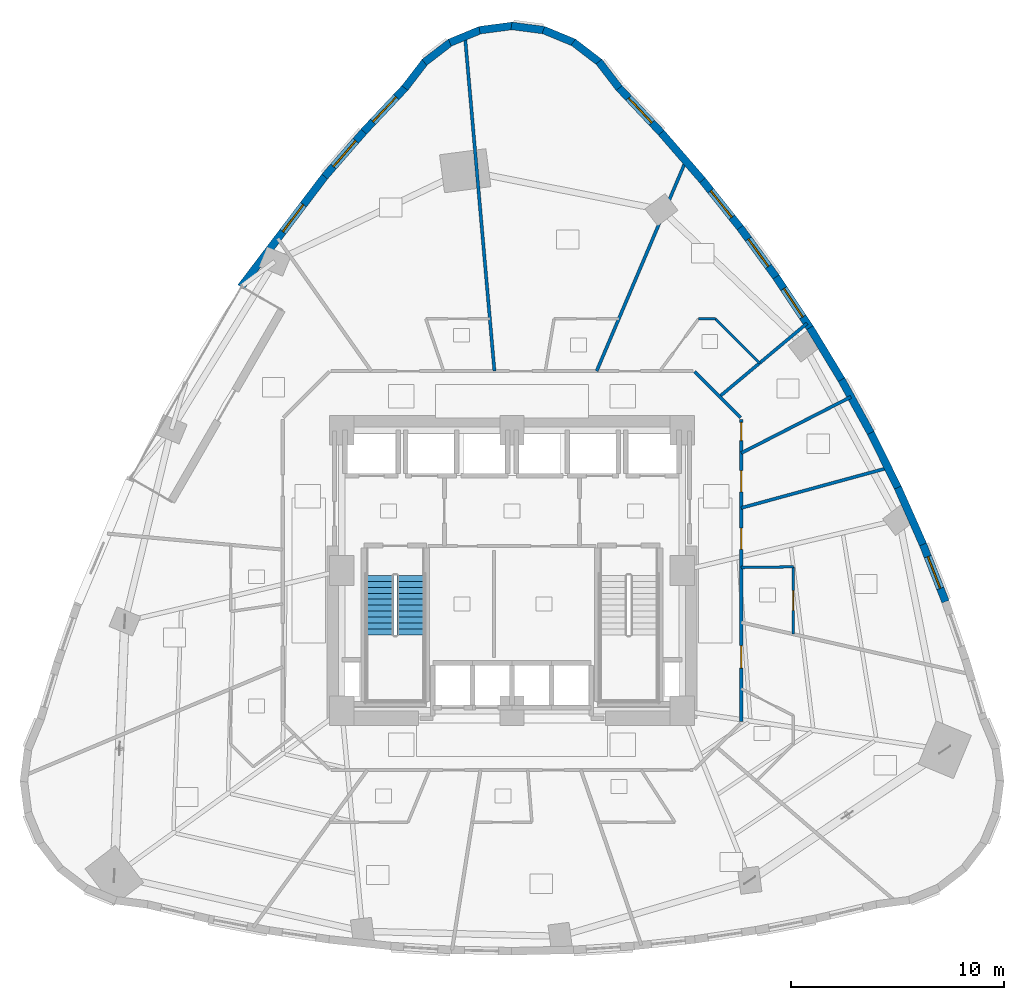
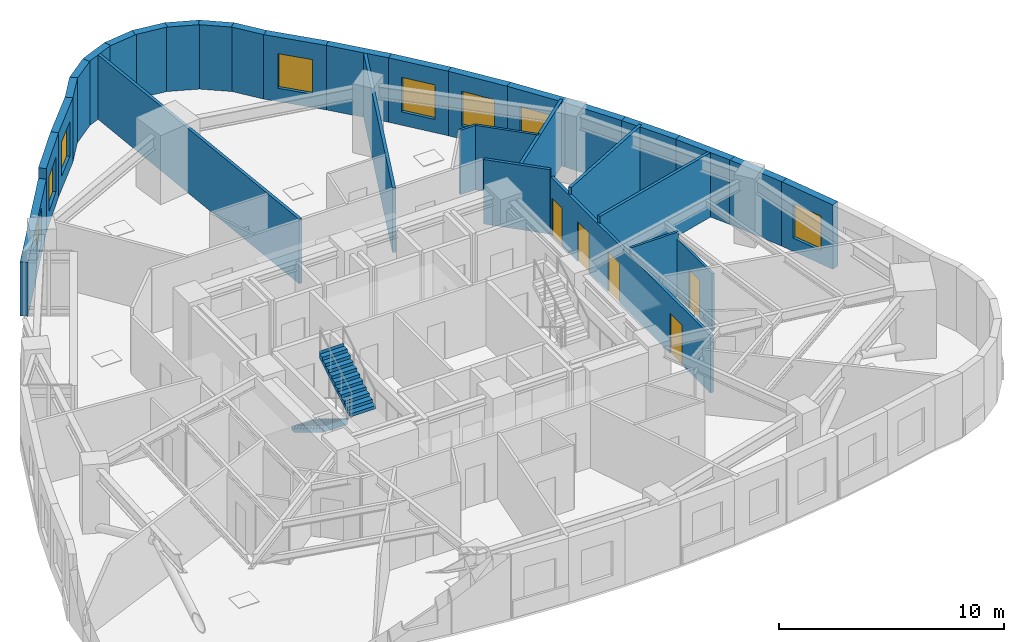
# One storey, part 9 of 13: 32 walls, 8 windows, 5 doors, 2 stair flights, 13 openings, 1 element without a shape of its own.
"""IFC4 building model written with IfcOpenShell, lengths in metres."""

from ifc_helpers import new_model, si_unit, direction, frame, frame_2d, origin, place, context, subcontext, project, spatial, polyline, rectangle, outline, extrude, material, layer, layer_set, type_object, element, fill, aggregate, save


model = new_model("IFC4")

# Units and contexts
model_context = context("Model", 3, precision=1e-05, world=origin(), true_north=direction((0.0, 1.0)))
body_context = subcontext(model_context, "Body", "Model", "MODEL_VIEW")
ifc_project = project(units=[si_unit("LENGTHUNIT", "METRE"), si_unit("AREAUNIT", "SQUARE_METRE"), si_unit("VOLUMEUNIT", "CUBIC_METRE"), si_unit("PLANEANGLEUNIT", "RADIAN"), si_unit("MASSUNIT", "GRAM", prefix="KILO")], contexts=[model_context])

# Site, building, storey
site_placement = place(None, origin())
site = spatial("IfcSite", under=ifc_project, at=site_placement, CompositionType="ELEMENT")
building_placement = place(site_placement, origin())
building = spatial("IfcBuilding", under=site, at=building_placement, Name="Ndelora Gate Hotel", CompositionType="ELEMENT")
storey_placement = place(building_placement, frame((0.0, 0.0, 34.25)))
storey = spatial("IfcBuildingStorey", under=building, at=storey_placement, Name="L07", CompositionType="ELEMENT", Elevation=34.25)

# Walls
ifc_material_1 = material(Name="Clay Brick Masonry", Category="masonry")
ifc_layer_1 = layer(ifc_material_1, 0.360107421875)
ifc_layer_set_1 = layer_set([ifc_layer_1], Name="Clay Brick Masonry")
wall_type_1 = type_object("IfcWallType", Name="WL-BRICK-360", PredefinedType="SOLIDWALL", material=ifc_layer_set_1)
for number, where, z_axis, x_axis, name in (
    (1, (4.0859375, 23.928955078125, 0.0), (0.0, 0.0, 1.0), (0.608729688799, -0.793377694402, 0.0), "L07 Tower Brick Pier-and-Spandrel Wall TWR-1"),
    (2, (2.880126953125, 24.845947265625, 0.0), (0.0, 0.0, 1.0), (0.793377694402, -0.608729688799, 0.0), "L07 Tower Brick Pier-and-Spandrel Wall TWR-2"),
    (3, (1.47802734375, 25.419921875, 0.0), (0.0, 0.0, 1.0), (0.923864636245, -0.382719393153, 0.0), "L07 Tower Brick Pier-and-Spandrel Wall TWR-3"),
    (4, (-0.02490234375, 25.611083984375, 0.0), (0.0, 0.0, 1.0), (0.991450044922, -0.130486813217, 0.0), "L07 Tower Brick Pier-and-Spandrel Wall TWR-4"),
    (5, (-1.52587890625, 25.406982421875, 0.0), (0.0, 0.0, 1.0), (0.991450044922, 0.130486813217, 0.0), "L07 Tower Brick Pier-and-Spandrel Wall TWR-5"),
    (6, (-2.923095703125, 24.8212890625, 0.0), (0.0, 0.0, 1.0), (0.923864636245, 0.382719393153, 0.0), "L07 Tower Brick Pier-and-Spandrel Wall TWR-6"),
    (7, (-4.12109375, 23.893798828125, 0.0), (0.0, 0.0, 1.0), (0.793377694402, 0.608729688799, 0.0), "L07 Tower Brick Pier-and-Spandrel Wall TWR-7"),
    (8, (-5.0380859375, 22.68798828125, 0.0), (0.0, 0.0, 1.0), (0.608729688799, 0.793377694402, 0.0), "L07 Tower Brick Pier-and-Spandrel Wall TWR-8"),
):
    element("IfcWall", number, at=place(storey_placement, frame(where, z_axis=z_axis, x_axis=x_axis)), inside=storey, type_object=wall_type_1, Name=name, PredefinedType="SOLIDWALL", context=body_context, shape_type="SweptSolid", body=[
        extrude(rectangle(XDim=1.564208984375, YDim=0.360107421875, at=frame_2d((0.7822265625, 0.0))), origin(), (0.0, 0.0, 1.0), 3.5),
    ])

# Wall, opening, window
wall_1_placement = place(storey_placement, frame((-6.973388671875, 20.63671875, 0.0), z_axis=(0.0, 0.0, 1.0), x_axis=(0.685563685899, 0.728012659626, 0.0)))
wall_1 = element("IfcWall", 9, at=wall_1_placement, inside=storey, type_object=wall_type_1, Name="L07 Tower Brick Pier-and-Spandrel Wall TWR-9", PredefinedType="SOLIDWALL", context=body_context, shape_type="SweptSolid", body=[
    extrude(rectangle(XDim=2.869873046875, YDim=0.360107421875, at=frame_2d((1.43505859375, 0.0))), origin(), (0.0, 0.0, 1.0), 3.5),
])
opening_1_placement = place(wall_1_placement, frame((0.635009765625, 0.0, 0.719970703125)))
opening_1 = element("IfcOpeningElement", 10, at=opening_1_placement, cuts=wall_1, Name="Opening W03", PredefinedType="OPENING", context=body_context, shape_type="SweptSolid", body=[
    extrude(rectangle(XDim=1.60009765625, YDim=1.8798828125, at=frame_2d((0.800048828125, 0.93994140625))), frame((0.0, 0.18994140625, 0.0), z_axis=(0.0, -1.0, 0.0), x_axis=(1.0, 0.0, 0.0)), (0.0, 0.0, 1.0), 0.380126953125),
])
ifc_material_2 = material(Name="Insulated Low-E Double Glazing in Bronze Aluminium Frame", Category="aluminium")
window_type_1 = type_object("IfcWindowType", Name="WN-CORN-2100", PartitioningType="SINGLE_PANEL", PredefinedType="WINDOW", material=ifc_material_2)
window_1_placement = place(opening_1_placement, origin())
window_1 = element("IfcWindow", 11, at=window_1_placement, inside=storey, type_object=window_type_1, Name="L07 Deep-Set Brick-Pier Window W03", OverallHeight=1.8798828125, OverallWidth=1.60009765625, PartitioningType="SINGLE_PANEL", PredefinedType="WINDOW", context=body_context, shape_type="SweptSolid", body=[
    extrude(rectangle(XDim=1.60009765625, YDim=1.8798828125, at=frame_2d((0.800048828125, 0.93994140625))), frame((0.0, 0.030029296875, 0.0), z_axis=(0.0, -1.0, 0.0), x_axis=(1.0, 0.0, 0.0)), (0.0, 0.0, 1.0), 0.06005859375),
])
fill(opening_1, window_1)

wall_2_placement = place(storey_placement, frame((-8.808349609375, 18.5263671875, 0.0), z_axis=(0.0, 0.0, 1.0), x_axis=(0.656480194697, 0.754343260042, 0.0)))
wall_2 = element("IfcWall", 12, at=wall_2_placement, inside=storey, type_object=wall_type_1, Name="L07 Tower Brick Pier-and-Spandrel Wall TWR-10", PredefinedType="SOLIDWALL", context=body_context, shape_type="SweptSolid", body=[
    extrude(rectangle(XDim=2.846435546875, YDim=0.360107421875, at=frame_2d((1.42333984375, 0.0))), origin(), (0.0, 0.0, 1.0), 3.5),
])
opening_2_placement = place(wall_2_placement, frame((0.623291015625, 0.0, 0.719970703125)))
opening_2 = element("IfcOpeningElement", 13, at=opening_2_placement, cuts=wall_2, Name="Opening W01", PredefinedType="OPENING", context=body_context, shape_type="SweptSolid", body=[
    extrude(rectangle(XDim=1.60009765625, YDim=1.8798828125, at=frame_2d((0.800048828125, 0.93994140625))), frame((0.0, 0.18994140625, 0.0), z_axis=(0.0, -1.0, 0.0), x_axis=(1.0, 0.0, 0.0)), (0.0, 0.0, 1.0), 0.380126953125),
])
window_type_2 = type_object("IfcWindowType", Name="WN-DEEP-1600", PartitioningType="SINGLE_PANEL", PredefinedType="WINDOW", material=ifc_material_2)
window_2_placement = place(opening_2_placement, origin())
window_2 = element("IfcWindow", 14, at=window_2_placement, inside=storey, type_object=window_type_2, Name="L07 Deep-Set Brick-Pier Window W01", OverallHeight=1.8798828125, OverallWidth=1.60009765625, PartitioningType="SINGLE_PANEL", PredefinedType="WINDOW", context=body_context, shape_type="SweptSolid", body=[
    extrude(rectangle(XDim=1.60009765625, YDim=1.8798828125, at=frame_2d((0.800048828125, 0.93994140625))), frame((0.0, 0.030029296875, 0.0), z_axis=(0.0, -1.0, 0.0), x_axis=(1.0, 0.0, 0.0)), (0.0, 0.0, 1.0), 0.06005859375),
])
fill(opening_2, window_2)

wall_3_placement = place(storey_placement, frame((-12.745361328125, 13.334228515625, 0.0), z_axis=(0.0, 0.0, 1.0), x_axis=(0.604405198851, 0.796677071091, 0.0)))
wall_3 = element("IfcWall", 15, at=wall_3_placement, inside=storey, type_object=wall_type_1, Name="L07 Tower Brick Pier-and-Spandrel Wall TWR-11", PredefinedType="SOLIDWALL", context=body_context, shape_type="SweptSolid", body=[
    extrude(rectangle(XDim=6.56591796875, YDim=0.360107421875, at=frame_2d((3.282958984375, 0.0))), origin(), (0.0, 0.0, 1.0), 2.929931640625),
])
opening_3_placement = place(wall_3_placement, frame((3.260009765625, 0.0, 0.719970703125)))
opening_3 = element("IfcOpeningElement", 16, at=opening_3_placement, cuts=wall_3, Name="Opening W01", PredefinedType="OPENING", context=body_context, shape_type="SweptSolid", body=[
    extrude(rectangle(XDim=1.60009765625, YDim=1.8798828125, at=frame_2d((0.800048828125, 0.93994140625))), frame((0.0, 0.18994140625, 0.0), z_axis=(0.0, -1.0, 0.0), x_axis=(1.0, 0.0, 0.0)), (0.0, 0.0, 1.0), 0.380126953125),
])
window_3_placement = place(opening_3_placement, origin())
window_3 = element("IfcWindow", 17, at=window_3_placement, inside=storey, type_object=window_type_2, Name="L07 Deep-Set Brick-Pier Window W01", OverallHeight=1.8798828125, OverallWidth=1.60009765625, PartitioningType="SINGLE_PANEL", PredefinedType="WINDOW", context=body_context, shape_type="SweptSolid", body=[
    extrude(rectangle(XDim=1.60009765625, YDim=1.8798828125, at=frame_2d((0.800048828125, 0.93994140625))), frame((0.0, 0.030029296875, 0.0), z_axis=(0.0, -1.0, 0.0), x_axis=(1.0, 0.0, 0.0)), (0.0, 0.0, 1.0), 0.06005859375),
])
fill(opening_3, window_3)

wall_4_placement = place(storey_placement, frame((19.308349609375, 1.272216796875, 0.0), z_axis=(0.0, 0.0, 1.0), x_axis=(0.366361181184, -0.930472721213, 0.0)))
wall_4 = element("IfcWall", 18, at=wall_4_placement, inside=storey, type_object=wall_type_1, Name="L07 Tower Brick Pier-and-Spandrel Wall TWR-49", PredefinedType="SOLIDWALL", context=body_context, shape_type="SweptSolid", body=[
    extrude(rectangle(XDim=2.940673828125, YDim=0.360107421875, at=frame_2d((1.47021484375, 0.0))), origin(), (0.0, 0.0, 1.0), 3.5),
])
opening_4_placement = place(wall_4_placement, frame((0.67041015625, 0.0, 0.719970703125)))
opening_4 = element("IfcOpeningElement", 19, at=opening_4_placement, cuts=wall_4, Name="Opening W03", PredefinedType="OPENING", context=body_context, shape_type="SweptSolid", body=[
    extrude(rectangle(XDim=1.60009765625, YDim=1.8798828125, at=frame_2d((0.800048828125, 0.93994140625))), frame((0.0, 0.18994140625, 0.0), z_axis=(0.0, -1.0, 0.0), x_axis=(1.0, 0.0, 0.0)), (0.0, 0.0, 1.0), 0.380126953125),
])
window_4_placement = place(opening_4_placement, origin())
window_4 = element("IfcWindow", 20, at=window_4_placement, inside=storey, type_object=window_type_1, Name="L07 Deep-Set Brick-Pier Window W03", OverallHeight=1.8798828125, OverallWidth=1.60009765625, PartitioningType="SINGLE_PANEL", PredefinedType="WINDOW", context=body_context, shape_type="SweptSolid", body=[
    extrude(rectangle(XDim=1.60009765625, YDim=1.8798828125, at=frame_2d((0.800048828125, 0.93994140625))), frame((0.0, 0.030029296875, 0.0), z_axis=(0.0, -1.0, 0.0), x_axis=(1.0, 0.0, 0.0)), (0.0, 0.0, 1.0), 0.06005859375),
])
fill(opening_4, window_4)

# Walls
wall_5_placement = place(storey_placement, frame((18.142578125, 3.900634765625, 0.0), z_axis=(0.0, 0.0, 1.0), x_axis=(0.405100583427, -0.914272124319, 0.0)))
element("IfcWall", 21, at=wall_5_placement, inside=storey, type_object=wall_type_1, Name="L07 Tower Brick Pier-and-Spandrel Wall TWR-50", PredefinedType="SOLIDWALL", context=body_context, shape_type="SweptSolid", body=[
    extrude(rectangle(XDim=2.92529296875, YDim=0.360107421875, at=frame_2d((1.462646484375, 0.0))), origin(), (0.0, 0.0, 1.0), 3.5),
])
wall_6_placement = place(storey_placement, frame((16.87060546875, 6.4677734375, 0.0), z_axis=(0.0, 0.0, 1.0), x_axis=(0.44365878996, -0.896195781117, 0.0)))
element("IfcWall", 22, at=wall_6_placement, inside=storey, type_object=wall_type_1, Name="L07 Tower Brick Pier-and-Spandrel Wall TWR-51", PredefinedType="SOLIDWALL", context=body_context, shape_type="SweptSolid", body=[
    extrude(rectangle(XDim=2.914794921875, YDim=0.360107421875, at=frame_2d((1.45751953125, 0.0))), origin(), (0.0, 0.0, 1.0), 3.5),
])
wall_7_placement = place(storey_placement, frame((15.493408203125, 8.973876953125, 0.0), z_axis=(0.0, 0.0, 1.0), x_axis=(0.481319495438, -0.876545231754, 0.0)))
element("IfcWall", 23, at=wall_7_placement, inside=storey, type_object=wall_type_1, Name="L07 Tower Brick Pier-and-Spandrel Wall TWR-52", PredefinedType="SOLIDWALL", context=body_context, shape_type="SweptSolid", body=[
    extrude(rectangle(XDim=2.909423828125, YDim=0.360107421875, at=frame_2d((1.45458984375, 0.0))), origin(), (0.0, 0.0, 1.0), 3.5),
])
wall_8_placement = place(storey_placement, frame((14.009765625, 11.418701171875, 0.0), z_axis=(0.0, 0.0, 1.0), x_axis=(0.518463491903, -0.855099764685, 0.0)))
element("IfcWall", 24, at=wall_8_placement, inside=storey, type_object=wall_type_1, Name="L07 Tower Brick Pier-and-Spandrel Wall TWR-53", PredefinedType="SOLIDWALL", context=body_context, shape_type="SweptSolid", body=[
    extrude(rectangle(XDim=2.90966796875, YDim=0.360107421875, at=frame_2d((1.454833984375, 0.0))), origin(), (0.0, 0.0, 1.0), 3.5),
])

# Wall, opening, window
wall_9_placement = place(storey_placement, frame((12.420654296875, 13.802490234375, 0.0), z_axis=(0.0, 0.0, 1.0), x_axis=(0.554410222631, -0.832243537099, 0.0)))
wall_9 = element("IfcWall", 25, at=wall_9_placement, inside=storey, type_object=wall_type_1, Name="L07 Tower Brick Pier-and-Spandrel Wall TWR-54", PredefinedType="SOLIDWALL", context=body_context, shape_type="SweptSolid", body=[
    extrude(rectangle(XDim=2.914794921875, YDim=0.360107421875, at=frame_2d((1.45751953125, 0.0))), origin(), (0.0, 0.0, 1.0), 3.5),
])
opening_5_placement = place(wall_9_placement, frame((0.657470703125, 0.0, 0.719970703125)))
opening_5 = element("IfcOpeningElement", 26, at=opening_5_placement, cuts=wall_9, Name="Opening W01", PredefinedType="OPENING", context=body_context, shape_type="SweptSolid", body=[
    extrude(rectangle(XDim=1.60009765625, YDim=1.8798828125, at=frame_2d((0.800048828125, 0.93994140625))), frame((0.0, 0.18994140625, 0.0), z_axis=(0.0, -1.0, 0.0), x_axis=(1.0, 0.0, 0.0)), (0.0, 0.0, 1.0), 0.380126953125),
])
window_5_placement = place(opening_5_placement, origin())
window_5 = element("IfcWindow", 27, at=window_5_placement, inside=storey, type_object=window_type_2, Name="L07 Deep-Set Brick-Pier Window W01", OverallHeight=1.8798828125, OverallWidth=1.60009765625, PartitioningType="SINGLE_PANEL", PredefinedType="WINDOW", context=body_context, shape_type="SweptSolid", body=[
    extrude(rectangle(XDim=1.60009765625, YDim=1.8798828125, at=frame_2d((0.800048828125, 0.93994140625))), frame((0.0, 0.030029296875, 0.0), z_axis=(0.0, -1.0, 0.0), x_axis=(1.0, 0.0, 0.0)), (0.0, 0.0, 1.0), 0.06005859375),
])
fill(opening_5, window_5)

wall_10_placement = place(storey_placement, frame((10.7255859375, 16.125, 0.0), z_axis=(0.0, 0.0, 1.0), x_axis=(0.589223239374, -0.807970280507, 0.0)))
wall_10 = element("IfcWall", 28, at=wall_10_placement, inside=storey, type_object=wall_type_1, Name="L07 Tower Brick Pier-and-Spandrel Wall TWR-55", PredefinedType="SOLIDWALL", context=body_context, shape_type="SweptSolid", body=[
    extrude(rectangle(XDim=2.92529296875, YDim=0.360107421875, at=frame_2d((1.462646484375, 0.0))), origin(), (0.0, 0.0, 1.0), 3.5),
])
opening_6_placement = place(wall_10_placement, frame((0.66259765625, 0.0, 0.719970703125)))
opening_6 = element("IfcOpeningElement", 29, at=opening_6_placement, cuts=wall_10, Name="Opening W01", PredefinedType="OPENING", context=body_context, shape_type="SweptSolid", body=[
    extrude(rectangle(XDim=1.60009765625, YDim=1.8798828125, at=frame_2d((0.800048828125, 0.93994140625))), frame((0.0, 0.18994140625, 0.0), z_axis=(0.0, -1.0, 0.0), x_axis=(1.0, 0.0, 0.0)), (0.0, 0.0, 1.0), 0.380126953125),
])
window_6_placement = place(opening_6_placement, origin())
window_6 = element("IfcWindow", 30, at=window_6_placement, inside=storey, type_object=window_type_2, Name="L07 Deep-Set Brick-Pier Window W01", OverallHeight=1.8798828125, OverallWidth=1.60009765625, PartitioningType="SINGLE_PANEL", PredefinedType="WINDOW", context=body_context, shape_type="SweptSolid", body=[
    extrude(rectangle(XDim=1.60009765625, YDim=1.8798828125, at=frame_2d((0.800048828125, 0.93994140625))), frame((0.0, 0.030029296875, 0.0), z_axis=(0.0, -1.0, 0.0), x_axis=(1.0, 0.0, 0.0)), (0.0, 0.0, 1.0), 0.06005859375),
])
fill(opening_6, window_6)

wall_11_placement = place(storey_placement, frame((8.9248046875, 18.38671875, 0.0), z_axis=(0.0, 0.0, 1.0), x_axis=(0.622637946995, -0.782510055502, 0.0)))
wall_11 = element("IfcWall", 31, at=wall_11_placement, inside=storey, type_object=wall_type_1, Name="L07 Tower Brick Pier-and-Spandrel Wall TWR-56", PredefinedType="SOLIDWALL", context=body_context, shape_type="SweptSolid", body=[
    extrude(rectangle(XDim=2.941162109375, YDim=0.360107421875, at=frame_2d((1.470703125, 0.0))), origin(), (0.0, 0.0, 1.0), 3.5),
])
opening_7_placement = place(wall_11_placement, frame((0.67041015625, 0.0, 0.719970703125)))
opening_7 = element("IfcOpeningElement", 32, at=opening_7_placement, cuts=wall_11, Name="Opening W01", PredefinedType="OPENING", context=body_context, shape_type="SweptSolid", body=[
    extrude(rectangle(XDim=1.60009765625, YDim=1.8798828125, at=frame_2d((0.800048828125, 0.93994140625))), frame((0.0, 0.18994140625, 0.0), z_axis=(0.0, -1.0, 0.0), x_axis=(1.0, 0.0, 0.0)), (0.0, 0.0, 1.0), 0.380126953125),
])
window_7_placement = place(opening_7_placement, origin())
window_7 = element("IfcWindow", 33, at=window_7_placement, inside=storey, type_object=window_type_2, Name="L07 Deep-Set Brick-Pier Window W01", OverallHeight=1.8798828125, OverallWidth=1.60009765625, PartitioningType="SINGLE_PANEL", PredefinedType="WINDOW", context=body_context, shape_type="SweptSolid", body=[
    extrude(rectangle(XDim=1.60009765625, YDim=1.8798828125, at=frame_2d((0.800048828125, 0.93994140625))), frame((0.0, 0.030029296875, 0.0), z_axis=(0.0, -1.0, 0.0), x_axis=(1.0, 0.0, 0.0)), (0.0, 0.0, 1.0), 0.06005859375),
])
fill(opening_7, window_7)

# Wall
wall_12_placement = place(storey_placement, frame((7.018310546875, 20.5869140625, 0.0), z_axis=(0.0, 0.0, 1.0), x_axis=(0.654585220283, -0.755988220402, 0.0)))
element("IfcWall", 34, at=wall_12_placement, inside=storey, type_object=wall_type_1, Name="L07 Tower Brick Pier-and-Spandrel Wall TWR-57", PredefinedType="SOLIDWALL", context=body_context, shape_type="SweptSolid", body=[
    extrude(rectangle(XDim=2.96142578125, YDim=0.360107421875, at=frame_2d((1.480712890625, 0.0))), origin(), (0.0, 0.0, 1.0), 3.5),
])

# Wall, opening, window
wall_13_placement = place(storey_placement, frame((5.005859375, 22.72607421875, 0.0), z_axis=(0.0, 0.0, 1.0), x_axis=(0.684946458387, -0.728593404542, 0.0)))
wall_13 = element("IfcWall", 35, at=wall_13_placement, inside=storey, type_object=wall_type_1, Name="L07 Tower Brick Pier-and-Spandrel Wall TWR-58", PredefinedType="SOLIDWALL", context=body_context, shape_type="SweptSolid", body=[
    extrude(rectangle(XDim=2.987060546875, YDim=0.360107421875, at=frame_2d((1.49365234375, 0.0))), origin(), (0.0, 0.0, 1.0), 3.5),
])
opening_8_placement = place(wall_13_placement, frame((0.693603515625, 0.0, 0.719970703125)))
opening_8 = element("IfcOpeningElement", 36, at=opening_8_placement, cuts=wall_13, Name="Opening W01", PredefinedType="OPENING", context=body_context, shape_type="SweptSolid", body=[
    extrude(rectangle(XDim=1.60009765625, YDim=1.8798828125, at=frame_2d((0.800048828125, 0.93994140625))), frame((0.0, 0.18994140625, 0.0), z_axis=(0.0, -1.0, 0.0), x_axis=(1.0, 0.0, 0.0)), (0.0, 0.0, 1.0), 0.380126953125),
])
window_8_placement = place(opening_8_placement, origin())
window_8 = element("IfcWindow", 37, at=window_8_placement, inside=storey, type_object=window_type_2, Name="L07 Deep-Set Brick-Pier Window W01", OverallHeight=1.8798828125, OverallWidth=1.60009765625, PartitioningType="SINGLE_PANEL", PredefinedType="WINDOW", context=body_context, shape_type="SweptSolid", body=[
    extrude(rectangle(XDim=1.60009765625, YDim=1.8798828125, at=frame_2d((0.800048828125, 0.93994140625))), frame((0.0, 0.030029296875, 0.0), z_axis=(0.0, -1.0, 0.0), x_axis=(1.0, 0.0, 0.0)), (0.0, 0.0, 1.0), 0.06005859375),
])
fill(opening_8, window_8)

# Wall, openings, doors
ifc_material_3 = material(Name="Fire-Rated Gypsum Stud Partition", Category="gypsum")
ifc_layer_2 = layer(ifc_material_3, 0.14990234375)
ifc_layer_set_2 = layer_set([ifc_layer_2], Name="Fire-Rated Gypsum Stud Partition")
wall_type_2 = type_object("IfcWallType", Name="WL-PART-150", PredefinedType="PARTITIONING", material=ifc_layer_set_2)
wall_14_placement = place(storey_placement, frame((10.780029296875, 7.110107421875, 0.0), z_axis=(0.0, 0.0, 1.0), x_axis=(0.0, -1.0, 0.0)))
wall_14 = element("IfcWall", 38, at=wall_14_placement, inside=storey, type_object=wall_type_2, Name="L07 Interior Wall IW-5", PredefinedType="PARTITIONING", context=body_context, shape_type="SweptSolid", body=[
    extrude(rectangle(XDim=14.22021484375, YDim=0.14990234375, at=frame_2d((7.110107421875, 0.0))), origin(), (0.0, 0.0, 1.0), 3.1201171875),
])
opening_9_placement = place(wall_14_placement, frame((0.139892578125, 0.0, 0.0)))
opening_9 = element("IfcOpeningElement", 39, at=opening_9_placement, cuts=wall_14, Name="Opening D09", PredefinedType="OPENING", context=body_context, shape_type="SweptSolid", body=[
    extrude(rectangle(XDim=0.860107421875, YDim=2.050048828125, at=frame_2d((0.43017578125, 1.02490234375))), frame((0.0, 0.0849609375, 0.0), z_axis=(0.0, -1.0, 0.0), x_axis=(1.0, 0.0, 0.0)), (0.0, 0.0, 1.0), 0.169921875),
])
opening_10_placement = place(wall_14_placement, frame((2.417236328125, 0.0, 0.0)))
opening_10 = element("IfcOpeningElement", 40, at=opening_10_placement, cuts=wall_14, Name="Opening D01", PredefinedType="OPENING", context=body_context, shape_type="SweptSolid", body=[
    extrude(rectangle(XDim=1.0, YDim=2.14990234375, at=frame_2d((0.5, 1.074951171875))), frame((0.0, 0.0849609375, 0.0), z_axis=(0.0, -1.0, 0.0), x_axis=(1.0, 0.0, 0.0)), (0.0, 0.0, 1.0), 0.169921875),
])
opening_11_placement = place(wall_14_placement, frame((5.114990234375, 0.0, 0.0)))
opening_11 = element("IfcOpeningElement", 41, at=opening_11_placement, cuts=wall_14, Name="Opening D01", PredefinedType="OPENING", context=body_context, shape_type="SweptSolid", body=[
    extrude(rectangle(XDim=1.0, YDim=2.14990234375, at=frame_2d((0.5, 1.074951171875))), frame((0.0, 0.0849609375, 0.0), z_axis=(0.0, -1.0, 0.0), x_axis=(1.0, 0.0, 0.0)), (0.0, 0.0, 1.0), 0.169921875),
])
opening_12_placement = place(wall_14_placement, frame((10.638916015625, 0.0, 0.0)))
opening_12 = element("IfcOpeningElement", 42, at=opening_12_placement, cuts=wall_14, Name="Opening D07", PredefinedType="OPENING", context=body_context, shape_type="SweptSolid", body=[
    extrude(rectangle(XDim=1.06005859375, YDim=2.14990234375, at=frame_2d((0.530029296875, 1.074951171875))), frame((0.0, 0.0849609375, 0.0), z_axis=(0.0, -1.0, 0.0), x_axis=(1.0, 0.0, 0.0)), (0.0, 0.0, 1.0), 0.169921875),
])
ifc_material_4 = material(Name="Acoustic Hardwood Guest Entrance Door", Category="wood")
door_type_1 = type_object("IfcDoorType", Name="DR-COR-1000", OperationType="SINGLE_SWING_LEFT", PredefinedType="DOOR", material=ifc_material_4)
door_1_placement = place(opening_10_placement, origin())
door_1 = element("IfcDoor", 43, at=door_1_placement, inside=storey, type_object=door_type_1, Name="L07 Housekeeping and Linen Room Entrance Door", OperationType="SINGLE_SWING_LEFT", OverallHeight=2.14990234375, OverallWidth=1.0, PredefinedType="DOOR", context=body_context, shape_type="SweptSolid", body=[
    extrude(rectangle(XDim=1.0, YDim=2.14990234375, at=frame_2d((0.5, 1.074951171875))), frame((0.0, 0.02490234375, 0.0), z_axis=(0.0, -1.0, 0.0), x_axis=(1.0, 0.0, 0.0)), (0.0, 0.0, 1.0), 0.050048828125),
])
fill(opening_10, door_1)
door_2_placement = place(opening_11_placement, origin())
door_2 = element("IfcDoor", 44, at=door_2_placement, inside=storey, type_object=door_type_1, Name="L07 Twin Guest Room 1010 Entrance Door", OperationType="SINGLE_SWING_RIGHT", OverallHeight=2.14990234375, OverallWidth=1.0, PredefinedType="DOOR", context=body_context, shape_type="SweptSolid", body=[
    extrude(rectangle(XDim=1.0, YDim=2.14990234375, at=frame_2d((0.5, 1.074951171875))), frame((0.0, 0.02490234375, 0.0), z_axis=(0.0, -1.0, 0.0), x_axis=(1.0, 0.0, 0.0)), (0.0, 0.0, 1.0), 0.050048828125),
])
fill(opening_11, door_2)
ifc_material_5 = material(Name="Painted Steel Compact Service Door", Category="steel")
door_type_2 = type_object("IfcDoorType", Name="DR-SER-860", OperationType="SINGLE_SWING_LEFT", PredefinedType="DOOR", material=ifc_material_5)
door_3_placement = place(opening_9_placement, origin())
door_3 = element("IfcDoor", 45, at=door_3_placement, inside=storey, type_object=door_type_2, Name="L07 Accessible WC Entrance Door", OperationType="SINGLE_SWING_RIGHT", OverallHeight=2.050048828125, OverallWidth=0.860107421875, PredefinedType="DOOR", context=body_context, shape_type="SweptSolid", body=[
    extrude(rectangle(XDim=0.860107421875, YDim=2.050048828125, at=frame_2d((0.43017578125, 1.02490234375))), frame((0.0, 0.02490234375, 0.0), z_axis=(0.0, -1.0, 0.0), x_axis=(1.0, 0.0, 0.0)), (0.0, 0.0, 1.0), 0.050048828125),
])
fill(opening_9, door_3)
ifc_material_6 = material(Name="Diplomatic Suite Acoustic Entrance Door", Category="wood")
door_type_3 = type_object("IfcDoorType", Name="DR-SUITE-1060", OperationType="SINGLE_SWING_LEFT", PredefinedType="DOOR", material=ifc_material_6)
door_4_placement = place(opening_12_placement, origin())
door_4 = element("IfcDoor", 46, at=door_4_placement, inside=storey, type_object=door_type_3, Name="L07 Deluxe King Junior Suite 1009 Entrance Door", OperationType="SINGLE_SWING_RIGHT", OverallHeight=2.14990234375, OverallWidth=1.06005859375, PredefinedType="DOOR", context=body_context, shape_type="SweptSolid", body=[
    extrude(rectangle(XDim=1.06005859375, YDim=2.14990234375, at=frame_2d((0.530029296875, 1.074951171875))), frame((0.0, 0.02490234375, 0.0), z_axis=(0.0, -1.0, 0.0), x_axis=(1.0, 0.0, 0.0)), (0.0, 0.0, 1.0), 0.050048828125),
])
fill(opening_12, door_4)

# Walls
wall_15_placement = place(storey_placement, frame((8.578369140625, 9.351806640625, 0.0), z_axis=(0.0, 0.0, 1.0), x_axis=(0.707067066127, -0.707146494016, 0.0)))
element("IfcWall", 47, at=wall_15_placement, inside=storey, type_object=wall_type_2, Name="L07 Interior Wall IW-5", PredefinedType="PARTITIONING", context=body_context, shape_type="SweptSolid", body=[
    extrude(rectangle(XDim=3.07373046875, YDim=0.14990234375, at=frame_2d((1.536865234375, 0.0))), origin(), (0.0, 0.0, 1.0), 3.5),
])
wall_16_placement = place(storey_placement, frame((9.75634765625, 8.173583984375, 0.0), z_axis=(0.0, 0.0, 1.0), x_axis=(0.766556770399, 0.642176547186, 0.0)))
element("IfcWall", 48, at=wall_16_placement, inside=storey, type_object=wall_type_2, Name="L07 Interior Wall IW-5", PredefinedType="PARTITIONING", context=body_context, shape_type="SweptSolid", body=[
    extrude(rectangle(XDim=5.370361328125, YDim=0.14990234375, at=frame_2d((2.68505859375, 0.0))), origin(), (0.0, 0.0, 1.0), 3.5),
])
wall_17_placement = place(storey_placement, frame((3.98046875, 9.3798828125, 0.0), z_axis=(0.0, 0.0, 1.0), x_axis=(0.390626405148, 0.920549298843, 0.0)))
element("IfcWall", 49, at=wall_17_placement, inside=storey, type_object=wall_type_2, Name="L07 Interior Wall IW-5", PredefinedType="PARTITIONING", context=body_context, shape_type="SweptSolid", body=[
    extrude(rectangle(XDim=10.72802734375, YDim=0.14990234375, at=frame_2d((5.364013671875, 0.0))), origin(), (0.0, 0.0, 1.0), 3.5),
])
wall_18_placement = place(storey_placement, frame((-0.82568359375, 9.3798828125, 0.0), z_axis=(0.0, 0.0, 1.0), x_axis=(-0.087674603254, 0.996149167517, 0.0)))
element("IfcWall", 50, at=wall_18_placement, inside=storey, type_object=wall_type_2, Name="L07 Interior Wall IW-5", PredefinedType="PARTITIONING", context=body_context, shape_type="SweptSolid", body=[
    extrude(rectangle(XDim=15.797119140625, YDim=0.14990234375, at=frame_2d((7.8984375, 0.0))), origin(), (0.0, 0.0, 1.0), 3.5),
])
wall_19_placement = place(storey_placement, frame((10.780029296875, 2.94287109375, 0.0), z_axis=(0.0, 0.0, 1.0), x_axis=(0.964692920296, 0.263377238063, 0.0)))
element("IfcWall", 51, at=wall_19_placement, inside=storey, type_object=wall_type_2, Name="L07 Interior Wall IW-5", PredefinedType="PARTITIONING", context=body_context, shape_type="SweptSolid", body=[
    extrude(rectangle(XDim=7.1552734375, YDim=0.14990234375, at=frame_2d((3.57763671875, 0.0))), origin(), (0.0, 0.0, 1.0), 3.5),
])
wall_20_placement = place(storey_placement, frame((10.780029296875, 5.5224609375, 0.0), z_axis=(0.0, 0.0, 1.0), x_axis=(0.889994161799, 0.455971920149, 0.0)))
element("IfcWall", 52, at=wall_20_placement, inside=storey, type_object=wall_type_2, Name="L07 Interior Wall IW-5", PredefinedType="PARTITIONING", context=body_context, shape_type="SweptSolid", body=[
    extrude(rectangle(XDim=5.794921875, YDim=0.14990234375, at=frame_2d((2.8974609375, 0.0))), origin(), (0.0, 0.0, 1.0), 3.5),
])
ifc_material_7 = material(Name="Moisture-Resistant Bathroom Tile Partition", Category="gypsum")
ifc_layer_3 = layer(ifc_material_7, 0.1201171875)
ifc_layer_set_3 = layer_set([ifc_layer_3], Name="Moisture-Resistant Bathroom Tile Partition")
wall_type_3 = type_object("IfcWallType", Name="WL-WET-120", PredefinedType="PARTITIONING", material=ifc_layer_set_3)
wall_21_placement = place(storey_placement, frame((8.76806640625, 11.830078125, 0.0), z_axis=(0.0, 0.0, 1.0), x_axis=(1.0, 0.0, 0.0)))
element("IfcWall", 53, at=wall_21_placement, inside=storey, type_object=wall_type_3, Name="L07 Interior Wall IW-7", PredefinedType="PARTITIONING", context=body_context, shape_type="SweptSolid", body=[
    extrude(rectangle(XDim=0.796630859375, YDim=0.1201171875, at=frame_2d((0.3984375, 0.0))), origin(), (0.0, 0.0, 1.0), 3.5),
])
wall_22_placement = place(storey_placement, frame((9.564697265625, 11.830078125, 0.0), z_axis=(0.0, 0.0, 1.0), x_axis=(0.707106781187, -0.707106781187, 0.0)))
element("IfcWall", 54, at=wall_22_placement, inside=storey, type_object=wall_type_3, Name="L07 Interior Wall IW-7", PredefinedType="PARTITIONING", context=body_context, shape_type="SweptSolid", body=[
    extrude(rectangle(XDim=2.9375, YDim=0.1201171875, at=frame_2d((1.46875, 0.0))), origin(), (0.0, 0.0, 1.0), 3.5),
])
wall_23_placement = place(storey_placement, frame((13.22998046875, 0.172119140625, 0.0), z_axis=(0.0, 0.0, 1.0), x_axis=(-0.999916098969, -0.012953571785, 0.0)))
element("IfcWall", 55, at=wall_23_placement, inside=storey, type_object=wall_type_3, Name="L07 Interior Wall IW-7", PredefinedType="PARTITIONING", context=body_context, shape_type="SweptSolid", body=[
    extrude(rectangle(XDim=2.4501953125, YDim=0.1201171875, at=frame_2d((1.22509765625, 0.0))), origin(), (0.0, 0.0, 1.0), 3.5),
])

# Wall, opening, door
wall_24_placement = place(storey_placement, frame((13.22998046875, 0.172119140625, 0.0), z_axis=(0.0, 0.0, 1.0), x_axis=(0.0, -1.0, 0.0)))
wall_24 = element("IfcWall", 56, at=wall_24_placement, inside=storey, type_object=wall_type_3, Name="L07 Interior Wall IW-7", PredefinedType="PARTITIONING", context=body_context, shape_type="SweptSolid", body=[
    extrude(rectangle(XDim=3.166748046875, YDim=0.1201171875, at=frame_2d((1.58349609375, 0.0))), origin(), (0.0, 0.0, 1.0), 3.1201171875),
])
opening_13_placement = place(wall_24_placement, frame((1.12353515625, 0.0, 0.0)))
opening_13 = element("IfcOpeningElement", 57, at=opening_13_placement, cuts=wall_24, Name="Opening D03", PredefinedType="OPENING", context=body_context, shape_type="SweptSolid", body=[
    extrude(rectangle(XDim=0.919921875, YDim=2.10009765625, at=frame_2d((0.4599609375, 1.050048828125))), frame((0.0, 0.070068359375, 0.0), z_axis=(0.0, -1.0, 0.0), x_axis=(1.0, 0.0, 0.0)), (0.0, 0.0, 1.0), 0.14013671875),
])
ifc_material_8 = material(Name="Moisture-Resistant Hardwood En-Suite Door", Category="wood")
door_type_4 = type_object("IfcDoorType", Name="DR-BATH-920", OperationType="SINGLE_SWING_LEFT", PredefinedType="DOOR", material=ifc_material_8)
door_5_placement = place(opening_13_placement, origin())
door_5 = element("IfcDoor", 58, at=door_5_placement, inside=storey, type_object=door_type_4, Name="L07 En-suite Bathroom 1010 Door", OperationType="SINGLE_SWING_LEFT", OverallHeight=2.10009765625, OverallWidth=0.919921875, PredefinedType="DOOR", context=body_context, shape_type="SweptSolid", body=[
    extrude(rectangle(XDim=0.919921875, YDim=2.10009765625, at=frame_2d((0.4599609375, 1.050048828125))), frame((0.0, 0.02490234375, 0.0), z_axis=(0.0, -1.0, 0.0), x_axis=(1.0, 0.0, 0.0)), (0.0, 0.0, 1.0), 0.050048828125),
])
fill(opening_13, door_5)

# Stair, stair flights
ifc_material_9 = material(Name="Precast concrete C40/50", Category="concrete")
stair_type = type_object("IfcStairType", Name="STR-DOG-CORE", PredefinedType="HALF_TURN_STAIR", material=ifc_material_9)
stair_placement = place(storey_placement, origin())
stair = element("IfcStair", 59, at=stair_placement, inside=storey, type_object=stair_type, Name="L07 Protected Core Exit Stair ST4", PredefinedType="HALF_TURN_STAIR")
stair_flight_type = type_object("IfcStairFlightType", Name="STF-PRECAST", PredefinedType="STRAIGHT", material=ifc_material_9)
stair_flight_1_placement = place(storey_placement, frame((-6.2099609375, -0.22998046875, 0.0), z_axis=(0.0, 0.0, 1.0), x_axis=(0.0, -1.0, 0.0)))
stair_flight_1 = element("IfcStairFlight", 60, at=stair_flight_1_placement, type_object=stair_flight_type, Name="ST4 flight 1", NumberOfRisers=11, NumberOfTreads=10, PredefinedType="STRAIGHT", RiserHeight=0.170454545, TreadLength=0.28, context=body_context, shape_type="SweptSolid", body=[
    extrude(outline(polyline([(-0.00048828125, 0.0), (-0.00048828125, 0.17041015625), (0.0, 0.17041015625), (0.280029296875, 0.17041015625), (0.280029296875, 0.3408203125), (0.56005859375, 0.3408203125), (0.56005859375, 0.511474609375), (0.840087890625, 0.511474609375), (0.840087890625, 0.681884765625), (1.1201171875, 0.681884765625), (1.1201171875, 0.852294921875), (1.39990234375, 0.852294921875), (1.39990234375, 1.022705078125), (1.679931640625, 1.022705078125), (1.679931640625, 1.193115234375), (1.9599609375, 1.193115234375), (1.9599609375, 1.363525390625), (2.239990234375, 1.363525390625), (2.239990234375, 1.5341796875), (2.52001953125, 1.5341796875), (2.52001953125, 1.70458984375), (2.800048828125, 1.70458984375), (2.800048828125, 1.875), (2.800537109375, 1.875), (2.800537109375, 1.695068359375), (2.800048828125, 1.529052734375), (0.288330078125, 0.0), (-0.00048828125, 0.0)])), frame((0.0, 0.64013671875, 0.0), z_axis=(0.0, -1.0, 0.0), x_axis=(1.0, 0.0, 0.0)), (0.0, 0.0, 1.0), 1.280029296875),
])
stair_flight_2_placement = place(storey_placement, frame((-4.77001953125, -3.030029296875, 1.875), z_axis=(0.0, 0.0, 1.0), x_axis=(0.0, 1.0, 0.0)))
stair_flight_2 = element("IfcStairFlight", 61, at=stair_flight_2_placement, type_object=stair_flight_type, Name="ST4 flight 2", NumberOfRisers=11, NumberOfTreads=10, PredefinedType="STRAIGHT", RiserHeight=0.170454545, TreadLength=0.28, context=body_context, shape_type="SweptSolid", body=[
    extrude(outline(polyline([(-0.00048828125, 0.0), (-0.00048828125, 0.17041015625), (0.0, 0.17041015625), (0.280029296875, 0.17041015625), (0.280029296875, 0.3408203125), (0.56005859375, 0.3408203125), (0.56005859375, 0.511474609375), (0.840087890625, 0.511474609375), (0.840087890625, 0.681884765625), (1.1201171875, 0.681884765625), (1.1201171875, 0.852294921875), (1.39990234375, 0.852294921875), (1.39990234375, 1.022705078125), (1.679931640625, 1.022705078125), (1.679931640625, 1.193115234375), (1.9599609375, 1.193115234375), (1.9599609375, 1.363525390625), (2.239990234375, 1.363525390625), (2.239990234375, 1.5341796875), (2.52001953125, 1.5341796875), (2.52001953125, 1.70458984375), (2.800048828125, 1.70458984375), (2.800048828125, 1.875), (2.800537109375, 1.875), (2.800537109375, 1.695068359375), (2.800048828125, 1.529052734375), (0.288330078125, 0.0), (-0.00048828125, 0.0)])), frame((0.0, 0.64013671875, 0.0), z_axis=(0.0, -1.0, 0.0), x_axis=(1.0, 0.0, 0.0)), (0.0, 0.0, 1.0), 1.280029296875),
])
aggregate(stair, [stair_flight_1, stair_flight_2])

save(model, "model.ifc")
